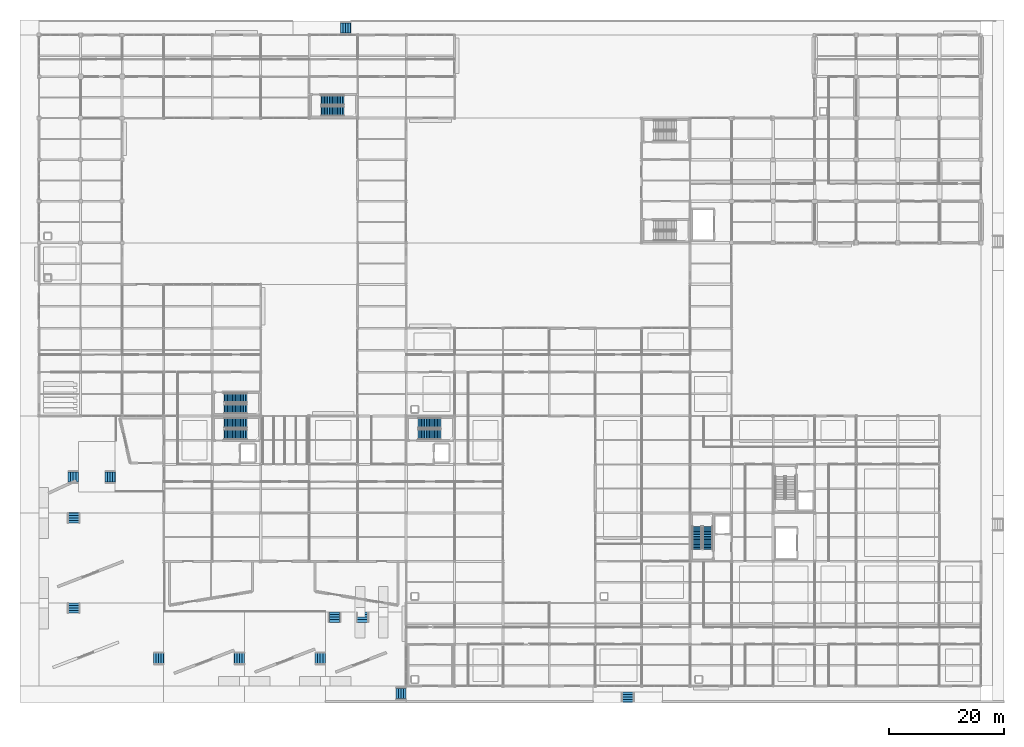
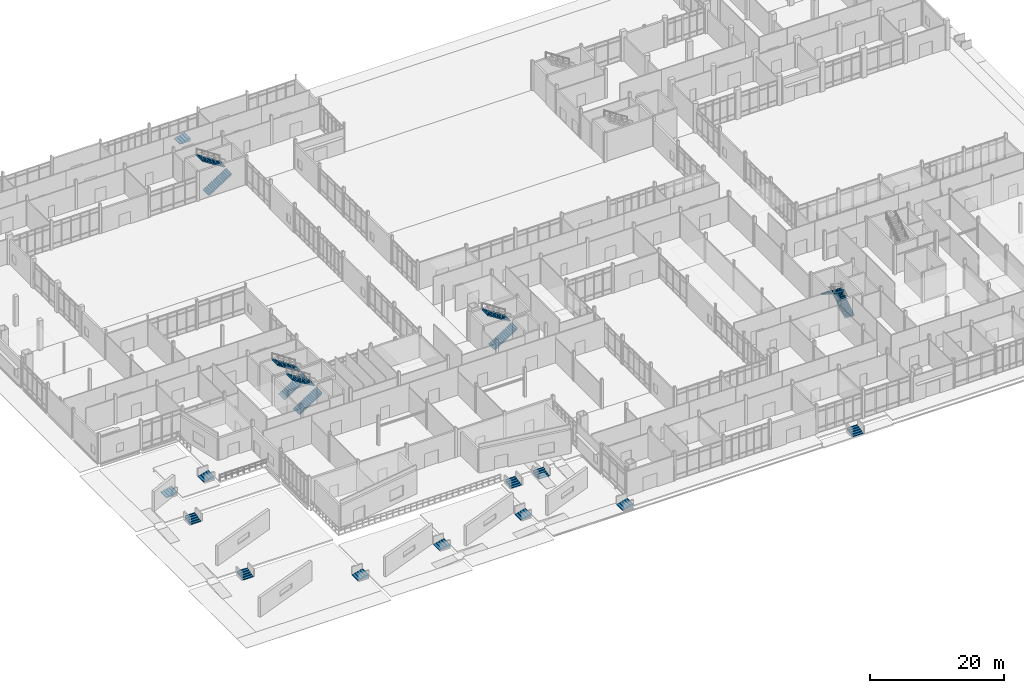
# One storey, part 203 of 229: 22 stair flights, 17 elements without a shape of their own.
"""IFC4 building model written with IfcOpenShell, lengths in metres."""

from ifc_helpers import new_model, si_unit, direction, frame, origin, place, context, subcontext, project, spatial, polyline, outline, extrude, material, type_object, element, aggregate, save


model = new_model("IFC4")

# Units and contexts
model_context = context("Model", 3, precision=1e-05, world=origin(), true_north=direction((0.0, 1.0)))
body_context = subcontext(model_context, "Body", "Model", "MODEL_VIEW")
ifc_project = project(units=[si_unit("LENGTHUNIT", "METRE"), si_unit("AREAUNIT", "SQUARE_METRE"), si_unit("VOLUMEUNIT", "CUBIC_METRE"), si_unit("PLANEANGLEUNIT", "RADIAN"), si_unit("MASSUNIT", "GRAM", prefix="KILO")], contexts=[model_context])

# Site, building, storey
site_placement = place(None, origin())
site = spatial("IfcSite", under=ifc_project, at=site_placement, CompositionType="ELEMENT")
building_placement = place(site_placement, origin())
building = spatial("IfcBuilding", under=site, at=building_placement, Name="Calvrana Isthmian Art Gallery", CompositionType="ELEMENT")
storey_placement = place(building_placement, origin())
storey = spatial("IfcBuildingStorey", under=building, at=storey_placement, Name="L00", CompositionType="ELEMENT", Elevation=0.0)

# Stair, stair flights
ifc_material = material(Name="Concrete C40/50", Category="concrete")
stair_type_1 = type_object("IfcStairType", Name="STR-HT-540", PredefinedType="HALF_TURN_STAIR", material=ifc_material)
stair_1_placement = place(storey_placement, origin())
stair_1 = element("IfcStair", 1, at=stair_1_placement, inside=storey, type_object=stair_type_1, Name="Protected exit stair ST-3 (L00)", PredefinedType="HALF_TURN_STAIR")
stair_flight_type_1 = type_object("IfcStairFlightType", Name="STF-1660", PredefinedType="STRAIGHT", material=ifc_material)
stair_flight_1_placement = place(storey_placement, frame((115.860107421875, 23.699951171875, 0.0), z_axis=(0.0, 0.0, 1.0), x_axis=(0.0, 1.0, 0.0)))
stair_flight_1 = element("IfcStairFlight", 2, at=stair_flight_1_placement, type_object=stair_flight_type_1, Name="ST-3 flight 1", NumberOfRisers=15, NumberOfTreads=14, PredefinedType="STRAIGHT", RiserHeight=0.18, TreadLength=0.28, context=body_context, shape_type="SweptSolid", body=[
    extrude(outline(polyline([(-0.02490234375, 0.0), (-0.02490234375, 0.06005859375), (0.0, 0.06005859375), (0.0, 0.179931640625), (0.280029296875, 0.179931640625), (0.280029296875, 0.360107421875), (0.56005859375, 0.360107421875), (0.56005859375, 0.5400390625), (0.840087890625, 0.5400390625), (0.840087890625, 0.719970703125), (1.1201171875, 0.719970703125), (1.1201171875, 0.89990234375), (1.39990234375, 0.89990234375), (1.39990234375, 1.080078125), (1.679931640625, 1.080078125), (1.679931640625, 1.260009765625), (1.9599609375, 1.260009765625), (1.9599609375, 1.43994140625), (2.239990234375, 1.43994140625), (2.239990234375, 1.6201171875), (2.52001953125, 1.6201171875), (2.52001953125, 1.800048828125), (2.800048828125, 1.800048828125), (2.800048828125, 1.97998046875), (3.080078125, 1.97998046875), (3.080078125, 2.159912109375), (3.360107421875, 2.159912109375), (3.360107421875, 2.340087890625), (3.639892578125, 2.340087890625), (3.639892578125, 2.52001953125), (3.919921875, 2.52001953125), (3.919921875, 2.699951171875), (3.945068359375, 2.699951171875), (3.945068359375, 2.341796875), (3.919921875, 2.341796875), (0.277099609375, 0.0), (-0.02490234375, 0.0)])), frame((0.0, 0.830078125, 0.0), z_axis=(0.0, -1.0, 0.0), x_axis=(1.0, 0.0, 0.0)), (0.0, 0.0, 1.0), 1.659912109375),
])
stair_flight_2_placement = place(storey_placement, frame((114.0, 27.6201171875, 2.699951171875), z_axis=(0.0, 0.0, 1.0), x_axis=(0.0, -1.0, 0.0)))
stair_flight_2 = element("IfcStairFlight", 3, at=stair_flight_2_placement, type_object=stair_flight_type_1, Name="ST-3 flight 2", NumberOfRisers=15, NumberOfTreads=14, PredefinedType="STRAIGHT", RiserHeight=0.18, TreadLength=0.28, context=body_context, shape_type="SweptSolid", body=[
    extrude(outline(polyline([(-0.02490234375, 0.0), (-0.02490234375, 0.06005859375), (0.0, 0.06005859375), (0.0, 0.179931640625), (0.280029296875, 0.179931640625), (0.280029296875, 0.360107421875), (0.56005859375, 0.360107421875), (0.56005859375, 0.5400390625), (0.840087890625, 0.5400390625), (0.840087890625, 0.719970703125), (1.1201171875, 0.719970703125), (1.1201171875, 0.89990234375), (1.39990234375, 0.89990234375), (1.39990234375, 1.080078125), (1.679931640625, 1.080078125), (1.679931640625, 1.260009765625), (1.9599609375, 1.260009765625), (1.9599609375, 1.43994140625), (2.239990234375, 1.43994140625), (2.239990234375, 1.6201171875), (2.52001953125, 1.6201171875), (2.52001953125, 1.800048828125), (2.800048828125, 1.800048828125), (2.800048828125, 1.97998046875), (3.080078125, 1.97998046875), (3.080078125, 2.159912109375), (3.360107421875, 2.159912109375), (3.360107421875, 2.340087890625), (3.639892578125, 2.340087890625), (3.639892578125, 2.52001953125), (3.919921875, 2.52001953125), (3.919921875, 2.699951171875), (3.945068359375, 2.699951171875), (3.945068359375, 2.341796875), (3.919921875, 2.341796875), (0.277099609375, 0.0), (-0.02490234375, 0.0)])), frame((0.0, 0.830078125, 0.0), z_axis=(0.0, -1.0, 0.0), x_axis=(1.0, 0.0, 0.0)), (0.0, 0.0, 1.0), 1.659912109375),
])
aggregate(stair_1, [stair_flight_1, stair_flight_2])

stair_type_2 = type_object("IfcStairType", Name="STR-TSR-540", PredefinedType="TWO_STRAIGHT_RUN_STAIR", material=ifc_material)
stair_2_placement = place(storey_placement, origin())
stair_2 = element("IfcStair", 4, at=stair_2_placement, inside=storey, type_object=stair_type_2, Name="Protected exit stair ST-6 (L00)", PredefinedType="TWO_STRAIGHT_RUN_STAIR")
stair_flight_type_2 = type_object("IfcStairFlightType", Name="STF-1700", PredefinedType="STRAIGHT", material=ifc_material)
stair_flight_3_placement = place(storey_placement, frame((48.89990234375, 99.60009765625, 0.0), z_axis=(0.0, 0.0, 1.0), x_axis=(1.0, 0.0, 0.0)))
stair_flight_3 = element("IfcStairFlight", 5, at=stair_flight_3_placement, type_object=stair_flight_type_2, Name="ST-6 flight 1", NumberOfRisers=15, NumberOfTreads=14, PredefinedType="STRAIGHT", RiserHeight=0.18, TreadLength=0.28, context=body_context, shape_type="SweptSolid", body=[
    extrude(outline(polyline([(-0.02490234375, 0.0), (-0.02490234375, 0.06005859375), (0.0, 0.06005859375), (0.0, 0.179931640625), (0.280029296875, 0.179931640625), (0.280029296875, 0.360107421875), (0.56005859375, 0.360107421875), (0.56005859375, 0.5400390625), (0.840087890625, 0.5400390625), (0.840087890625, 0.719970703125), (1.1201171875, 0.719970703125), (1.1201171875, 0.89990234375), (1.39990234375, 0.89990234375), (1.39990234375, 1.080078125), (1.679931640625, 1.080078125), (1.679931640625, 1.260009765625), (1.9599609375, 1.260009765625), (1.9599609375, 1.43994140625), (2.239990234375, 1.43994140625), (2.239990234375, 1.6201171875), (2.52001953125, 1.6201171875), (2.52001953125, 1.800048828125), (2.800048828125, 1.800048828125), (2.800048828125, 1.97998046875), (3.080078125, 1.97998046875), (3.080078125, 2.159912109375), (3.360107421875, 2.159912109375), (3.360107421875, 2.340087890625), (3.639892578125, 2.340087890625), (3.639892578125, 2.52001953125), (3.919921875, 2.52001953125), (3.919921875, 2.699951171875), (3.945068359375, 2.699951171875), (3.945068359375, 2.341796875), (3.919921875, 2.341796875), (0.277099609375, 0.0), (-0.02490234375, 0.0)])), frame((0.0, 0.85009765625, 0.0), z_axis=(0.0, -1.0, 0.0), x_axis=(1.0, 0.0, 0.0)), (0.0, 0.0, 1.0), 1.699951171875),
])
stair_flight_4_placement = place(storey_placement, frame((52.820068359375, 101.5, 2.699951171875), z_axis=(0.0, 0.0, 1.0), x_axis=(-1.0, 0.0, 0.0)))
stair_flight_4 = element("IfcStairFlight", 6, at=stair_flight_4_placement, type_object=stair_flight_type_2, Name="ST-6 flight 2", NumberOfRisers=15, NumberOfTreads=14, PredefinedType="STRAIGHT", RiserHeight=0.18, TreadLength=0.28, context=body_context, shape_type="SweptSolid", body=[
    extrude(outline(polyline([(-0.02490234375, 0.0), (-0.02490234375, 0.06005859375), (0.0, 0.06005859375), (0.0, 0.179931640625), (0.280029296875, 0.179931640625), (0.280029296875, 0.360107421875), (0.56005859375, 0.360107421875), (0.56005859375, 0.5400390625), (0.840087890625, 0.5400390625), (0.840087890625, 0.719970703125), (1.1201171875, 0.719970703125), (1.1201171875, 0.89990234375), (1.39990234375, 0.89990234375), (1.39990234375, 1.080078125), (1.679931640625, 1.080078125), (1.679931640625, 1.260009765625), (1.9599609375, 1.260009765625), (1.9599609375, 1.43994140625), (2.239990234375, 1.43994140625), (2.239990234375, 1.6201171875), (2.52001953125, 1.6201171875), (2.52001953125, 1.800048828125), (2.800048828125, 1.800048828125), (2.800048828125, 1.97998046875), (3.080078125, 1.97998046875), (3.080078125, 2.159912109375), (3.360107421875, 2.159912109375), (3.360107421875, 2.340087890625), (3.639892578125, 2.340087890625), (3.639892578125, 2.52001953125), (3.919921875, 2.52001953125), (3.919921875, 2.699951171875), (3.945068359375, 2.699951171875), (3.945068359375, 2.341796875), (3.919921875, 2.341796875), (0.277099609375, 0.0), (-0.02490234375, 0.0)])), frame((0.0, 0.85009765625, 0.0), z_axis=(0.0, -1.0, 0.0), x_axis=(1.0, 0.0, 0.0)), (0.0, 0.0, 1.0), 1.699951171875),
])
aggregate(stair_2, [stair_flight_3, stair_flight_4])

stair_3_placement = place(storey_placement, origin())
stair_3 = element("IfcStair", 7, at=stair_3_placement, inside=storey, type_object=stair_type_2, Name="Protected exit stair ST-7 (L00)", PredefinedType="TWO_STRAIGHT_RUN_STAIR")
stair_flight_5_placement = place(storey_placement, frame((32.10009765625, 48.0, 0.0), z_axis=(0.0, 0.0, 1.0), x_axis=(1.0, 0.0, 0.0)))
stair_flight_5 = element("IfcStairFlight", 8, at=stair_flight_5_placement, type_object=stair_flight_type_2, Name="ST-7 flight 1", NumberOfRisers=15, NumberOfTreads=14, PredefinedType="STRAIGHT", RiserHeight=0.18, TreadLength=0.28, context=body_context, shape_type="SweptSolid", body=[
    extrude(outline(polyline([(-0.02490234375, 0.0), (-0.02490234375, 0.06005859375), (0.0, 0.06005859375), (0.0, 0.179931640625), (0.280029296875, 0.179931640625), (0.280029296875, 0.360107421875), (0.56005859375, 0.360107421875), (0.56005859375, 0.5400390625), (0.840087890625, 0.5400390625), (0.840087890625, 0.719970703125), (1.1201171875, 0.719970703125), (1.1201171875, 0.89990234375), (1.39990234375, 0.89990234375), (1.39990234375, 1.080078125), (1.679931640625, 1.080078125), (1.679931640625, 1.260009765625), (1.9599609375, 1.260009765625), (1.9599609375, 1.43994140625), (2.239990234375, 1.43994140625), (2.239990234375, 1.6201171875), (2.52001953125, 1.6201171875), (2.52001953125, 1.800048828125), (2.800048828125, 1.800048828125), (2.800048828125, 1.97998046875), (3.080078125, 1.97998046875), (3.080078125, 2.159912109375), (3.360107421875, 2.159912109375), (3.360107421875, 2.340087890625), (3.639892578125, 2.340087890625), (3.639892578125, 2.52001953125), (3.919921875, 2.52001953125), (3.919921875, 2.699951171875), (3.945068359375, 2.699951171875), (3.945068359375, 2.341796875), (3.919921875, 2.341796875), (0.277099609375, 0.0), (-0.02490234375, 0.0)])), frame((0.0, 0.85009765625, 0.0), z_axis=(0.0, -1.0, 0.0), x_axis=(1.0, 0.0, 0.0)), (0.0, 0.0, 1.0), 1.699951171875),
])
stair_flight_6_placement = place(storey_placement, frame((36.02001953125, 49.89990234375, 2.699951171875), z_axis=(0.0, 0.0, 1.0), x_axis=(-1.0, 0.0, 0.0)))
stair_flight_6 = element("IfcStairFlight", 9, at=stair_flight_6_placement, type_object=stair_flight_type_2, Name="ST-7 flight 2", NumberOfRisers=15, NumberOfTreads=14, PredefinedType="STRAIGHT", RiserHeight=0.18, TreadLength=0.28, context=body_context, shape_type="SweptSolid", body=[
    extrude(outline(polyline([(-0.02490234375, 0.0), (-0.02490234375, 0.06005859375), (0.0, 0.06005859375), (0.0, 0.179931640625), (0.280029296875, 0.179931640625), (0.280029296875, 0.360107421875), (0.56005859375, 0.360107421875), (0.56005859375, 0.5400390625), (0.840087890625, 0.5400390625), (0.840087890625, 0.719970703125), (1.1201171875, 0.719970703125), (1.1201171875, 0.89990234375), (1.39990234375, 0.89990234375), (1.39990234375, 1.080078125), (1.679931640625, 1.080078125), (1.679931640625, 1.260009765625), (1.9599609375, 1.260009765625), (1.9599609375, 1.43994140625), (2.239990234375, 1.43994140625), (2.239990234375, 1.6201171875), (2.52001953125, 1.6201171875), (2.52001953125, 1.800048828125), (2.800048828125, 1.800048828125), (2.800048828125, 1.97998046875), (3.080078125, 1.97998046875), (3.080078125, 2.159912109375), (3.360107421875, 2.159912109375), (3.360107421875, 2.340087890625), (3.639892578125, 2.340087890625), (3.639892578125, 2.52001953125), (3.919921875, 2.52001953125), (3.919921875, 2.699951171875), (3.945068359375, 2.699951171875), (3.945068359375, 2.341796875), (3.919921875, 2.341796875), (0.277099609375, 0.0), (-0.02490234375, 0.0)])), frame((0.0, 0.85009765625, 0.0), z_axis=(0.0, -1.0, 0.0), x_axis=(1.0, 0.0, 0.0)), (0.0, 0.0, 1.0), 1.699951171875),
])
aggregate(stair_3, [stair_flight_5, stair_flight_6])

stair_type_3 = type_object("IfcStairType", Name="STR-HT-540W", PredefinedType="HALF_TURN_STAIR", material=ifc_material)
stair_4_placement = place(storey_placement, origin())
stair_4 = element("IfcStair", 10, at=stair_4_placement, inside=storey, type_object=stair_type_3, Name="Protected exit stair ST-1 (L00)", PredefinedType="HALF_TURN_STAIR")
stair_flight_type_3 = type_object("IfcStairFlightType", Name="STF-1760", PredefinedType="STRAIGHT", material=ifc_material)
stair_flight_7_placement = place(storey_placement, frame((32.10009765625, 43.590087890625, 0.0), z_axis=(0.0, 0.0, 1.0), x_axis=(1.0, 0.0, 0.0)))
stair_flight_7 = element("IfcStairFlight", 11, at=stair_flight_7_placement, type_object=stair_flight_type_3, Name="ST-1 flight 1", NumberOfRisers=15, NumberOfTreads=14, PredefinedType="STRAIGHT", RiserHeight=0.18, TreadLength=0.28, context=body_context, shape_type="SweptSolid", body=[
    extrude(outline(polyline([(-0.02490234375, 0.0), (-0.02490234375, 0.06005859375), (0.0, 0.06005859375), (0.0, 0.179931640625), (0.280029296875, 0.179931640625), (0.280029296875, 0.360107421875), (0.56005859375, 0.360107421875), (0.56005859375, 0.5400390625), (0.840087890625, 0.5400390625), (0.840087890625, 0.719970703125), (1.1201171875, 0.719970703125), (1.1201171875, 0.89990234375), (1.39990234375, 0.89990234375), (1.39990234375, 1.080078125), (1.679931640625, 1.080078125), (1.679931640625, 1.260009765625), (1.9599609375, 1.260009765625), (1.9599609375, 1.43994140625), (2.239990234375, 1.43994140625), (2.239990234375, 1.6201171875), (2.52001953125, 1.6201171875), (2.52001953125, 1.800048828125), (2.800048828125, 1.800048828125), (2.800048828125, 1.97998046875), (3.080078125, 1.97998046875), (3.080078125, 2.159912109375), (3.360107421875, 2.159912109375), (3.360107421875, 2.340087890625), (3.639892578125, 2.340087890625), (3.639892578125, 2.52001953125), (3.919921875, 2.52001953125), (3.919921875, 2.699951171875), (3.945068359375, 2.699951171875), (3.945068359375, 2.341796875), (3.919921875, 2.341796875), (0.277099609375, 0.0), (-0.02490234375, 0.0)])), frame((0.0, 0.8798828125, 0.0), z_axis=(0.0, -1.0, 0.0), x_axis=(1.0, 0.0, 0.0)), (0.0, 0.0, 1.0), 1.760009765625),
])
stair_flight_8_placement = place(storey_placement, frame((36.02001953125, 45.550048828125, 2.699951171875), z_axis=(0.0, 0.0, 1.0), x_axis=(-1.0, 0.0, 0.0)))
stair_flight_8 = element("IfcStairFlight", 12, at=stair_flight_8_placement, type_object=stair_flight_type_3, Name="ST-1 flight 2", NumberOfRisers=15, NumberOfTreads=14, PredefinedType="STRAIGHT", RiserHeight=0.18, TreadLength=0.28, context=body_context, shape_type="SweptSolid", body=[
    extrude(outline(polyline([(-0.02490234375, 0.0), (-0.02490234375, 0.06005859375), (0.0, 0.06005859375), (0.0, 0.179931640625), (0.280029296875, 0.179931640625), (0.280029296875, 0.360107421875), (0.56005859375, 0.360107421875), (0.56005859375, 0.5400390625), (0.840087890625, 0.5400390625), (0.840087890625, 0.719970703125), (1.1201171875, 0.719970703125), (1.1201171875, 0.89990234375), (1.39990234375, 0.89990234375), (1.39990234375, 1.080078125), (1.679931640625, 1.080078125), (1.679931640625, 1.260009765625), (1.9599609375, 1.260009765625), (1.9599609375, 1.43994140625), (2.239990234375, 1.43994140625), (2.239990234375, 1.6201171875), (2.52001953125, 1.6201171875), (2.52001953125, 1.800048828125), (2.800048828125, 1.800048828125), (2.800048828125, 1.97998046875), (3.080078125, 1.97998046875), (3.080078125, 2.159912109375), (3.360107421875, 2.159912109375), (3.360107421875, 2.340087890625), (3.639892578125, 2.340087890625), (3.639892578125, 2.52001953125), (3.919921875, 2.52001953125), (3.919921875, 2.699951171875), (3.945068359375, 2.699951171875), (3.945068359375, 2.341796875), (3.919921875, 2.341796875), (0.277099609375, 0.0), (-0.02490234375, 0.0)])), frame((0.0, 0.8798828125, 0.0), z_axis=(0.0, -1.0, 0.0), x_axis=(1.0, 0.0, 0.0)), (0.0, 0.0, 1.0), 1.760009765625),
])
aggregate(stair_4, [stair_flight_7, stair_flight_8])

stair_5_placement = place(storey_placement, origin())
stair_5 = element("IfcStair", 13, at=stair_5_placement, inside=storey, type_object=stair_type_3, Name="Protected exit stair ST-2 (L00)", PredefinedType="HALF_TURN_STAIR")
stair_flight_9_placement = place(storey_placement, frame((65.699951171875, 43.590087890625, 0.0), z_axis=(0.0, 0.0, 1.0), x_axis=(1.0, 0.0, 0.0)))
stair_flight_9 = element("IfcStairFlight", 14, at=stair_flight_9_placement, type_object=stair_flight_type_3, Name="ST-2 flight 1", NumberOfRisers=15, NumberOfTreads=14, PredefinedType="STRAIGHT", RiserHeight=0.18, TreadLength=0.28, context=body_context, shape_type="SweptSolid", body=[
    extrude(outline(polyline([(-0.02490234375, 0.0), (-0.02490234375, 0.06005859375), (0.0, 0.06005859375), (0.0, 0.179931640625), (0.280029296875, 0.179931640625), (0.280029296875, 0.360107421875), (0.56005859375, 0.360107421875), (0.56005859375, 0.5400390625), (0.840087890625, 0.5400390625), (0.840087890625, 0.719970703125), (1.1201171875, 0.719970703125), (1.1201171875, 0.89990234375), (1.39990234375, 0.89990234375), (1.39990234375, 1.080078125), (1.679931640625, 1.080078125), (1.679931640625, 1.260009765625), (1.9599609375, 1.260009765625), (1.9599609375, 1.43994140625), (2.239990234375, 1.43994140625), (2.239990234375, 1.6201171875), (2.52001953125, 1.6201171875), (2.52001953125, 1.800048828125), (2.800048828125, 1.800048828125), (2.800048828125, 1.97998046875), (3.080078125, 1.97998046875), (3.080078125, 2.159912109375), (3.360107421875, 2.159912109375), (3.360107421875, 2.340087890625), (3.639892578125, 2.340087890625), (3.639892578125, 2.52001953125), (3.919921875, 2.52001953125), (3.919921875, 2.699951171875), (3.945068359375, 2.699951171875), (3.945068359375, 2.341796875), (3.919921875, 2.341796875), (0.277099609375, 0.0), (-0.02490234375, 0.0)])), frame((0.0, 0.8798828125, 0.0), z_axis=(0.0, -1.0, 0.0), x_axis=(1.0, 0.0, 0.0)), (0.0, 0.0, 1.0), 1.760009765625),
])
stair_flight_10_placement = place(storey_placement, frame((69.6201171875, 45.550048828125, 2.699951171875), z_axis=(0.0, 0.0, 1.0), x_axis=(-1.0, 0.0, 0.0)))
stair_flight_10 = element("IfcStairFlight", 15, at=stair_flight_10_placement, type_object=stair_flight_type_3, Name="ST-2 flight 2", NumberOfRisers=15, NumberOfTreads=14, PredefinedType="STRAIGHT", RiserHeight=0.18, TreadLength=0.28, context=body_context, shape_type="SweptSolid", body=[
    extrude(outline(polyline([(-0.02490234375, 0.0), (-0.02490234375, 0.06005859375), (0.0, 0.06005859375), (0.0, 0.179931640625), (0.280029296875, 0.179931640625), (0.280029296875, 0.360107421875), (0.56005859375, 0.360107421875), (0.56005859375, 0.5400390625), (0.840087890625, 0.5400390625), (0.840087890625, 0.719970703125), (1.1201171875, 0.719970703125), (1.1201171875, 0.89990234375), (1.39990234375, 0.89990234375), (1.39990234375, 1.080078125), (1.679931640625, 1.080078125), (1.679931640625, 1.260009765625), (1.9599609375, 1.260009765625), (1.9599609375, 1.43994140625), (2.239990234375, 1.43994140625), (2.239990234375, 1.6201171875), (2.52001953125, 1.6201171875), (2.52001953125, 1.800048828125), (2.800048828125, 1.800048828125), (2.800048828125, 1.97998046875), (3.080078125, 1.97998046875), (3.080078125, 2.159912109375), (3.360107421875, 2.159912109375), (3.360107421875, 2.340087890625), (3.639892578125, 2.340087890625), (3.639892578125, 2.52001953125), (3.919921875, 2.52001953125), (3.919921875, 2.699951171875), (3.945068359375, 2.699951171875), (3.945068359375, 2.341796875), (3.919921875, 2.341796875), (0.277099609375, 0.0), (-0.02490234375, 0.0)])), frame((0.0, 0.8798828125, 0.0), z_axis=(0.0, -1.0, 0.0), x_axis=(1.0, 0.0, 0.0)), (0.0, 0.0, 1.0), 1.760009765625),
])
aggregate(stair_5, [stair_flight_9, stair_flight_10])

# Stair, stair flight
stair_type_4 = type_object("IfcStairType", Name="STR-EXT-176", PredefinedType="STRAIGHT_RUN_STAIR", material=ifc_material)
stair_6_placement = place(storey_placement, origin())
stair_6 = element("IfcStair", 16, at=stair_6_placement, inside=storey, type_object=stair_type_4, Name="Monumental exterior terrace stair ST-E01", PredefinedType="STRAIGHT_RUN_STAIR")
stair_flight_11_placement = place(storey_placement, frame((6.0, 12.639892578125, -2.39990234375), z_axis=(0.0, 0.0, 1.0), x_axis=(0.0, 1.0, 0.0)))
stair_flight_11 = element("IfcStairFlight", 17, at=stair_flight_11_placement, type_object=stair_flight_type_3, Name="ST-E01 flight 1", NumberOfRisers=5, NumberOfTreads=4, PredefinedType="STRAIGHT", RiserHeight=0.12, TreadLength=0.44, context=body_context, shape_type="SweptSolid", body=[
    extrude(outline(polyline([(-0.02490234375, 0.0), (-0.02490234375, 0.06005859375), (0.0, 0.06005859375), (0.0, 0.1201171875), (0.43994140625, 0.1201171875), (0.43994140625, 0.239990234375), (0.8798828125, 0.239990234375), (0.8798828125, 0.360107421875), (1.320068359375, 0.360107421875), (1.320068359375, 0.47998046875), (1.760009765625, 0.47998046875), (1.760009765625, 0.60009765625), (1.784912109375, 0.60009765625), (1.784912109375, 0.0), (-0.02490234375, 0.0)])), frame((0.0, 0.8798828125, 0.0), z_axis=(0.0, -1.0, 0.0), x_axis=(1.0, 0.0, 0.0)), (0.0, 0.0, 1.0), 1.760009765625),
])
aggregate(stair_6, [stair_flight_11])

stair_7_placement = place(storey_placement, origin())
stair_7 = element("IfcStair", 18, at=stair_7_placement, inside=storey, type_object=stair_type_4, Name="Monumental exterior terrace stair ST-E02", PredefinedType="STRAIGHT_RUN_STAIR")
stair_flight_12_placement = place(storey_placement, frame((19.840087890625, 4.800048828125, -2.39990234375), z_axis=(0.0, 0.0, 1.0), x_axis=(1.0, 0.0, 0.0)))
stair_flight_12 = element("IfcStairFlight", 19, at=stair_flight_12_placement, type_object=stair_flight_type_3, Name="ST-E02 flight 1", NumberOfRisers=5, NumberOfTreads=4, PredefinedType="STRAIGHT", RiserHeight=0.12, TreadLength=0.44, context=body_context, shape_type="SweptSolid", body=[
    extrude(outline(polyline([(-0.02490234375, 0.0), (-0.02490234375, 0.06005859375), (0.0, 0.06005859375), (0.0, 0.1201171875), (0.43994140625, 0.1201171875), (0.43994140625, 0.239990234375), (0.8798828125, 0.239990234375), (0.8798828125, 0.360107421875), (1.320068359375, 0.360107421875), (1.320068359375, 0.47998046875), (1.760009765625, 0.47998046875), (1.760009765625, 0.60009765625), (1.784912109375, 0.60009765625), (1.784912109375, 0.0), (-0.02490234375, 0.0)])), frame((0.0, 0.8798828125, 0.0), z_axis=(0.0, -1.0, 0.0), x_axis=(1.0, 0.0, 0.0)), (0.0, 0.0, 1.0), 1.760009765625),
])
aggregate(stair_7, [stair_flight_12])

stair_8_placement = place(storey_placement, origin())
stair_8 = element("IfcStair", 20, at=stair_8_placement, inside=storey, type_object=stair_type_4, Name="Monumental exterior terrace stair ST-E03", PredefinedType="STRAIGHT_RUN_STAIR")
stair_flight_13_placement = place(storey_placement, frame((6.0, 28.239990234375, -1.800048828125), z_axis=(0.0, 0.0, 1.0), x_axis=(0.0, 1.0, 0.0)))
stair_flight_13 = element("IfcStairFlight", 21, at=stair_flight_13_placement, type_object=stair_flight_type_3, Name="ST-E03 flight 1", NumberOfRisers=5, NumberOfTreads=4, PredefinedType="STRAIGHT", RiserHeight=0.12, TreadLength=0.44, context=body_context, shape_type="SweptSolid", body=[
    extrude(outline(polyline([(-0.02490234375, 0.0), (-0.02490234375, 0.06005859375), (0.0, 0.06005859375), (0.0, 0.1201171875), (0.43994140625, 0.1201171875), (0.43994140625, 0.239990234375), (0.8798828125, 0.239990234375), (0.8798828125, 0.360107421875), (1.320068359375, 0.360107421875), (1.320068359375, 0.47998046875), (1.760009765625, 0.47998046875), (1.760009765625, 0.60009765625), (1.784912109375, 0.60009765625), (1.784912109375, 0.0), (-0.02490234375, 0.0)])), frame((0.0, 0.8798828125, 0.0), z_axis=(0.0, -1.0, 0.0), x_axis=(1.0, 0.0, 0.0)), (0.0, 0.0, 1.0), 1.760009765625),
])
aggregate(stair_8, [stair_flight_13])

stair_9_placement = place(storey_placement, origin())
stair_9 = element("IfcStair", 22, at=stair_9_placement, inside=storey, type_object=stair_type_4, Name="Monumental exterior terrace stair ST-E04", PredefinedType="STRAIGHT_RUN_STAIR")
stair_flight_14_placement = place(storey_placement, frame((33.840087890625, 4.800048828125, -1.800048828125), z_axis=(0.0, 0.0, 1.0), x_axis=(1.0, 0.0, 0.0)))
stair_flight_14 = element("IfcStairFlight", 23, at=stair_flight_14_placement, type_object=stair_flight_type_3, Name="ST-E04 flight 1", NumberOfRisers=5, NumberOfTreads=4, PredefinedType="STRAIGHT", RiserHeight=0.12, TreadLength=0.44, context=body_context, shape_type="SweptSolid", body=[
    extrude(outline(polyline([(-0.02490234375, 0.0), (-0.02490234375, 0.06005859375), (0.0, 0.06005859375), (0.0, 0.1201171875), (0.43994140625, 0.1201171875), (0.43994140625, 0.239990234375), (0.8798828125, 0.239990234375), (0.8798828125, 0.360107421875), (1.320068359375, 0.360107421875), (1.320068359375, 0.47998046875), (1.760009765625, 0.47998046875), (1.760009765625, 0.60009765625), (1.784912109375, 0.60009765625), (1.784912109375, 0.0), (-0.02490234375, 0.0)])), frame((0.0, 0.8798828125, 0.0), z_axis=(0.0, -1.0, 0.0), x_axis=(1.0, 0.0, 0.0)), (0.0, 0.0, 1.0), 1.760009765625),
])
aggregate(stair_9, [stair_flight_14])

stair_10_placement = place(storey_placement, origin())
stair_10 = element("IfcStair", 24, at=stair_10_placement, inside=storey, type_object=stair_type_4, Name="Monumental exterior terrace stair ST-E05", PredefinedType="STRAIGHT_RUN_STAIR")
stair_flight_15_placement = place(storey_placement, frame((47.840087890625, 4.800048828125, -1.199951171875), z_axis=(0.0, 0.0, 1.0), x_axis=(1.0, 0.0, 0.0)))
stair_flight_15 = element("IfcStairFlight", 25, at=stair_flight_15_placement, type_object=stair_flight_type_3, Name="ST-E05 flight 1", NumberOfRisers=5, NumberOfTreads=4, PredefinedType="STRAIGHT", RiserHeight=0.12, TreadLength=0.44, context=body_context, shape_type="SweptSolid", body=[
    extrude(outline(polyline([(-0.02490234375, 0.0), (-0.02490234375, 0.06005859375), (0.0, 0.06005859375), (0.0, 0.1201171875), (0.43994140625, 0.1201171875), (0.43994140625, 0.239990234375), (0.8798828125, 0.239990234375), (0.8798828125, 0.360107421875), (1.320068359375, 0.360107421875), (1.320068359375, 0.47998046875), (1.760009765625, 0.47998046875), (1.760009765625, 0.60009765625), (1.784912109375, 0.60009765625), (1.784912109375, 0.0), (-0.02490234375, 0.0)])), frame((0.0, 0.8798828125, 0.0), z_axis=(0.0, -1.0, 0.0), x_axis=(1.0, 0.0, 0.0)), (0.0, 0.0, 1.0), 1.760009765625),
])
aggregate(stair_10, [stair_flight_15])

stair_11_placement = place(storey_placement, origin())
stair_11 = element("IfcStair", 26, at=stair_11_placement, inside=storey, type_object=stair_type_4, Name="Monumental exterior terrace stair ST-E06", PredefinedType="STRAIGHT_RUN_STAIR")
stair_flight_16_placement = place(storey_placement, frame((51.199951171875, 11.0400390625, -0.60009765625), z_axis=(0.0, 0.0, 1.0), x_axis=(0.0, 1.0, 0.0)))
stair_flight_16 = element("IfcStairFlight", 27, at=stair_flight_16_placement, type_object=stair_flight_type_3, Name="ST-E06 flight 1", NumberOfRisers=5, NumberOfTreads=4, PredefinedType="STRAIGHT", RiserHeight=0.12, TreadLength=0.44, context=body_context, shape_type="SweptSolid", body=[
    extrude(outline(polyline([(-0.02490234375, 0.0), (-0.02490234375, 0.06005859375), (0.0, 0.06005859375), (0.0, 0.1201171875), (0.43994140625, 0.1201171875), (0.43994140625, 0.239990234375), (0.8798828125, 0.239990234375), (0.8798828125, 0.360107421875), (1.320068359375, 0.360107421875), (1.320068359375, 0.47998046875), (1.760009765625, 0.47998046875), (1.760009765625, 0.60009765625), (1.784912109375, 0.60009765625), (1.784912109375, 0.0), (-0.02490234375, 0.0)])), frame((0.0, 0.8798828125, 0.0), z_axis=(0.0, -1.0, 0.0), x_axis=(1.0, 0.0, 0.0)), (0.0, 0.0, 1.0), 1.760009765625),
])
aggregate(stair_11, [stair_flight_16])

stair_12_placement = place(storey_placement, origin())
stair_12 = element("IfcStair", 28, at=stair_12_placement, inside=storey, type_object=stair_type_4, Name="Monumental exterior terrace stair ST-E07", PredefinedType="STRAIGHT_RUN_STAIR")
stair_flight_17_placement = place(storey_placement, frame((5.0400390625, 36.199951171875, -1.199951171875), z_axis=(0.0, 0.0, 1.0), x_axis=(1.0, 0.0, 0.0)))
stair_flight_17 = element("IfcStairFlight", 29, at=stair_flight_17_placement, type_object=stair_flight_type_3, Name="ST-E07 flight 1", NumberOfRisers=5, NumberOfTreads=4, PredefinedType="STRAIGHT", RiserHeight=0.12, TreadLength=0.44, context=body_context, shape_type="SweptSolid", body=[
    extrude(outline(polyline([(-0.02490234375, 0.0), (-0.02490234375, 0.06005859375), (0.0, 0.06005859375), (0.0, 0.1201171875), (0.43994140625, 0.1201171875), (0.43994140625, 0.239990234375), (0.8798828125, 0.239990234375), (0.8798828125, 0.360107421875), (1.320068359375, 0.360107421875), (1.320068359375, 0.47998046875), (1.760009765625, 0.47998046875), (1.760009765625, 0.60009765625), (1.784912109375, 0.60009765625), (1.784912109375, 0.0), (-0.02490234375, 0.0)])), frame((0.0, 0.8798828125, 0.0), z_axis=(0.0, -1.0, 0.0), x_axis=(1.0, 0.0, 0.0)), (0.0, 0.0, 1.0), 1.760009765625),
])
aggregate(stair_12, [stair_flight_17])

stair_13_placement = place(storey_placement, origin())
stair_13 = element("IfcStair", 30, at=stair_13_placement, inside=storey, type_object=stair_type_4, Name="Monumental exterior terrace stair ST-E08", PredefinedType="STRAIGHT_RUN_STAIR")
stair_flight_18_placement = place(storey_placement, frame((11.43994140625, 36.199951171875, -0.60009765625), z_axis=(0.0, 0.0, 1.0), x_axis=(1.0, 0.0, 0.0)))
stair_flight_18 = element("IfcStairFlight", 31, at=stair_flight_18_placement, type_object=stair_flight_type_3, Name="ST-E08 flight 1", NumberOfRisers=5, NumberOfTreads=4, PredefinedType="STRAIGHT", RiserHeight=0.12, TreadLength=0.44, context=body_context, shape_type="SweptSolid", body=[
    extrude(outline(polyline([(-0.02490234375, 0.0), (-0.02490234375, 0.06005859375), (0.0, 0.06005859375), (0.0, 0.1201171875), (0.43994140625, 0.1201171875), (0.43994140625, 0.239990234375), (0.8798828125, 0.239990234375), (0.8798828125, 0.360107421875), (1.320068359375, 0.360107421875), (1.320068359375, 0.47998046875), (1.760009765625, 0.47998046875), (1.760009765625, 0.60009765625), (1.784912109375, 0.60009765625), (1.784912109375, 0.0), (-0.02490234375, 0.0)])), frame((0.0, 0.8798828125, 0.0), z_axis=(0.0, -1.0, 0.0), x_axis=(1.0, 0.0, 0.0)), (0.0, 0.0, 1.0), 1.760009765625),
])
aggregate(stair_13, [stair_flight_18])

stair_14_placement = place(storey_placement, origin())
stair_14 = element("IfcStair", 32, at=stair_14_placement, inside=storey, type_object=stair_type_4, Name="Monumental exterior terrace stair ST-E09", PredefinedType="STRAIGHT_RUN_STAIR")
stair_flight_19_placement = place(storey_placement, frame((61.840087890625, -1.300048828125, -0.60009765625), z_axis=(0.0, 0.0, 1.0), x_axis=(1.0, 0.0, 0.0)))
stair_flight_19 = element("IfcStairFlight", 33, at=stair_flight_19_placement, type_object=stair_flight_type_3, Name="ST-E09 flight 1", NumberOfRisers=5, NumberOfTreads=4, PredefinedType="STRAIGHT", RiserHeight=0.12, TreadLength=0.44, context=body_context, shape_type="SweptSolid", body=[
    extrude(outline(polyline([(-0.02490234375, 0.0), (-0.02490234375, 0.06005859375), (0.0, 0.06005859375), (0.0, 0.1201171875), (0.43994140625, 0.1201171875), (0.43994140625, 0.239990234375), (0.8798828125, 0.239990234375), (0.8798828125, 0.360107421875), (1.320068359375, 0.360107421875), (1.320068359375, 0.47998046875), (1.760009765625, 0.47998046875), (1.760009765625, 0.60009765625), (1.784912109375, 0.60009765625), (1.784912109375, 0.0), (-0.02490234375, 0.0)])), frame((0.0, 0.8798828125, 0.0), z_axis=(0.0, -1.0, 0.0), x_axis=(1.0, 0.0, 0.0)), (0.0, 0.0, 1.0), 1.760009765625),
])
aggregate(stair_14, [stair_flight_19])

stair_15_placement = place(storey_placement, origin())
stair_15 = element("IfcStair", 34, at=stair_15_placement, inside=storey, type_object=stair_type_4, Name="Monumental exterior terrace stair ST-E11", PredefinedType="STRAIGHT_RUN_STAIR")
stair_flight_20_placement = place(storey_placement, frame((52.239990234375, 114.0, -0.60009765625), z_axis=(0.0, 0.0, 1.0), x_axis=(1.0, 0.0, 0.0)))
stair_flight_20 = element("IfcStairFlight", 35, at=stair_flight_20_placement, type_object=stair_flight_type_3, Name="ST-E11 flight 1", NumberOfRisers=5, NumberOfTreads=4, PredefinedType="STRAIGHT", RiserHeight=0.12, TreadLength=0.44, context=body_context, shape_type="SweptSolid", body=[
    extrude(outline(polyline([(-0.02490234375, 0.0), (-0.02490234375, 0.06005859375), (0.0, 0.06005859375), (0.0, 0.1201171875), (0.43994140625, 0.1201171875), (0.43994140625, 0.239990234375), (0.8798828125, 0.239990234375), (0.8798828125, 0.360107421875), (1.320068359375, 0.360107421875), (1.320068359375, 0.47998046875), (1.760009765625, 0.47998046875), (1.760009765625, 0.60009765625), (1.784912109375, 0.60009765625), (1.784912109375, 0.0), (-0.02490234375, 0.0)])), frame((0.0, 0.8798828125, 0.0), z_axis=(0.0, -1.0, 0.0), x_axis=(1.0, 0.0, 0.0)), (0.0, 0.0, 1.0), 1.760009765625),
])
aggregate(stair_15, [stair_flight_20])

stair_16_placement = place(storey_placement, origin())
stair_16 = element("IfcStair", 36, at=stair_16_placement, inside=storey, type_object=stair_type_4, Name="Monumental exterior terrace stair ST-E12", PredefinedType="STRAIGHT_RUN_STAIR")
stair_flight_21_placement = place(storey_placement, frame((56.0, 11.0400390625, -0.60009765625), z_axis=(0.0, 0.0, 1.0), x_axis=(0.0, 1.0, 0.0)))
stair_flight_21 = element("IfcStairFlight", 37, at=stair_flight_21_placement, type_object=stair_flight_type_3, Name="ST-E12 flight 1", NumberOfRisers=5, NumberOfTreads=4, PredefinedType="STRAIGHT", RiserHeight=0.12, TreadLength=0.44, context=body_context, shape_type="SweptSolid", body=[
    extrude(outline(polyline([(-0.02490234375, 0.0), (-0.02490234375, 0.06005859375), (0.0, 0.06005859375), (0.0, 0.1201171875), (0.43994140625, 0.1201171875), (0.43994140625, 0.239990234375), (0.8798828125, 0.239990234375), (0.8798828125, 0.360107421875), (1.320068359375, 0.360107421875), (1.320068359375, 0.47998046875), (1.760009765625, 0.47998046875), (1.760009765625, 0.60009765625), (1.784912109375, 0.60009765625), (1.784912109375, 0.0), (-0.02490234375, 0.0)])), frame((0.0, 0.8798828125, 0.0), z_axis=(0.0, -1.0, 0.0), x_axis=(1.0, 0.0, 0.0)), (0.0, 0.0, 1.0), 1.760009765625),
])
aggregate(stair_16, [stair_flight_21])

stair_17_placement = place(storey_placement, origin())
stair_17 = element("IfcStair", 38, at=stair_17_placement, inside=storey, type_object=stair_type_4, Name="Monumental exterior terrace stair ST-E14", PredefinedType="STRAIGHT_RUN_STAIR")
stair_flight_22_placement = place(storey_placement, frame((102.0, -2.81005859375, -0.60009765625), z_axis=(0.0, 0.0, 1.0), x_axis=(0.0, 1.0, 0.0)))
stair_flight_22 = element("IfcStairFlight", 39, at=stair_flight_22_placement, type_object=stair_flight_type_3, Name="ST-E14 flight 1", NumberOfRisers=5, NumberOfTreads=4, PredefinedType="STRAIGHT", RiserHeight=0.12, TreadLength=0.44, context=body_context, shape_type="SweptSolid", body=[
    extrude(outline(polyline([(-0.02490234375, 0.0), (-0.02490234375, 0.06005859375), (0.0, 0.06005859375), (0.0, 0.1201171875), (0.43994140625, 0.1201171875), (0.43994140625, 0.239990234375), (0.8798828125, 0.239990234375), (0.8798828125, 0.360107421875), (1.320068359375, 0.360107421875), (1.320068359375, 0.47998046875), (1.760009765625, 0.47998046875), (1.760009765625, 0.60009765625), (1.784912109375, 0.60009765625), (1.784912109375, 0.0), (-0.02490234375, 0.0)])), frame((0.0, 0.8798828125, 0.0), z_axis=(0.0, -1.0, 0.0), x_axis=(1.0, 0.0, 0.0)), (0.0, 0.0, 1.0), 1.760009765625),
])
aggregate(stair_17, [stair_flight_22])

save(model, "model.ifc")
